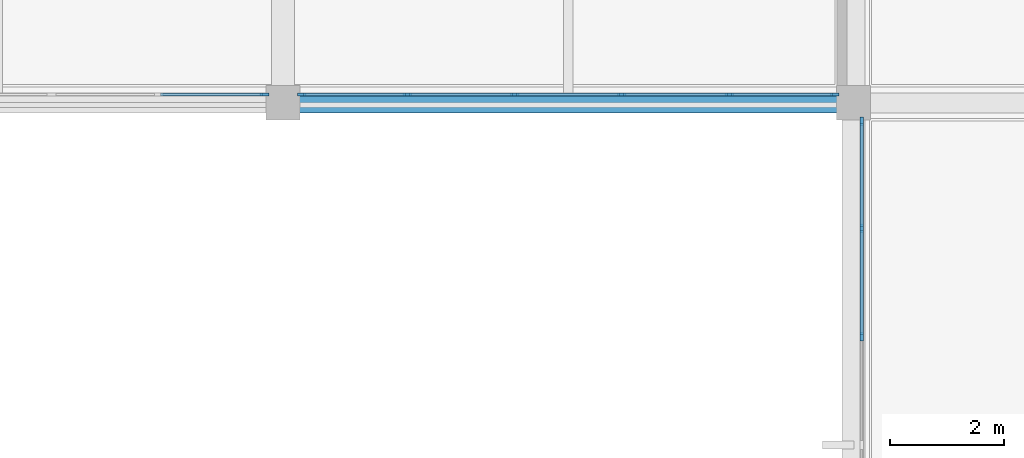
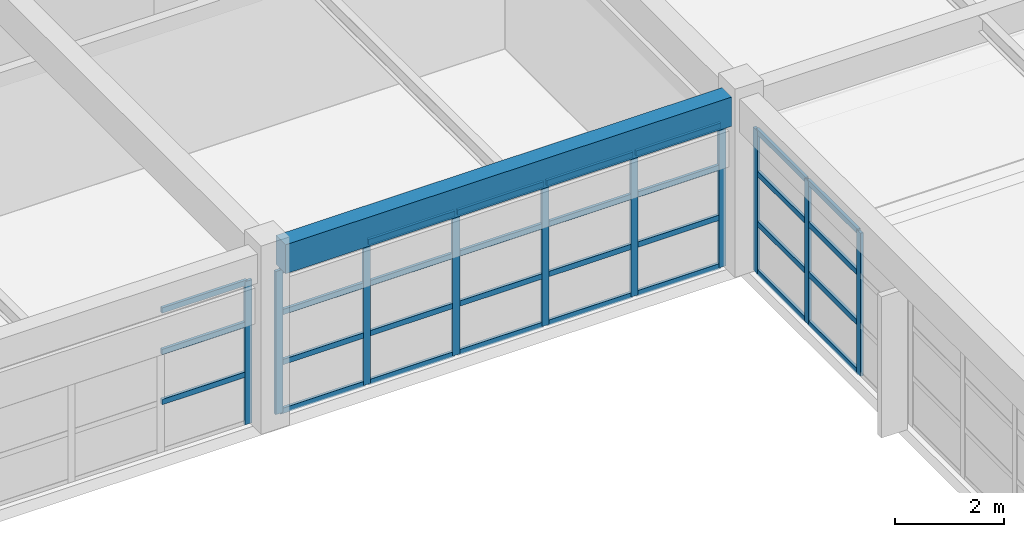
# One storey, part 11 of 28: 41 members, 1 beam, 3 elements without a shape of their own.
"""IFC4 building model written with IfcOpenShell, lengths in metres."""

from ifc_helpers import new_model, si_unit, direction, frame, origin, origin_2d, place, context, subcontext, project, spatial, rectangle, extrude, material, layer, layer_set, material_profile, profile_set, type_object, element, aggregate, save


model = new_model("IFC4")

# Units and contexts
model_context = context("Model", 3, precision=1e-05, world=origin(), true_north=direction((0.0, 1.0)))
body_context = subcontext(model_context, "Body", "Model", "MODEL_VIEW")
ifc_project = project(units=[si_unit("LENGTHUNIT", "METRE"), si_unit("AREAUNIT", "SQUARE_METRE"), si_unit("VOLUMEUNIT", "CUBIC_METRE"), si_unit("PLANEANGLEUNIT", "RADIAN"), si_unit("MASSUNIT", "GRAM", prefix="KILO")], contexts=[model_context])

# Site, building, storey
site_placement = place(None, origin())
site = spatial("IfcSite", under=ifc_project, at=site_placement, CompositionType="ELEMENT")
building_placement = place(site_placement, origin())
building = spatial("IfcBuilding", under=site, at=building_placement, Name="Kivolera Central Railway Station", CompositionType="ELEMENT")
storey_placement = place(building_placement, frame((0.0, 0.0, 18.60009765625)))
storey = spatial("IfcBuildingStorey", under=building, at=storey_placement, Name="L04", CompositionType="ELEMENT", Elevation=18.60009765625)

# Beam
ifc_material_1 = material(Name="Concrete C40/50", Category="concrete")
ifc_material_profile_1 = material_profile(ifc_material_1, rectangle(XDim=0.35009765625, YDim=0.64990234375, at=origin_2d()), Name="RC 350x650")
ifc_profile_set_1 = profile_set([ifc_material_profile_1], Name="Concrete C40/50")
beam_type = type_object("IfcBeamType", Name="BM-RC-350x650", PredefinedType="BEAM", material=ifc_profile_set_1)
beam_placement = place(storey_placement, frame((168.2919921875, 114.0, 3.625), z_axis=(1.0, 0.0, 0.0), x_axis=(0.0, 1.0, 0.0)))
element("IfcBeam", 1, at=beam_placement, inside=storey, type_object=beam_type, Name="L04 Wing X-Beam K:17-18", PredefinedType="BEAM", context=body_context, shape_type="SweptSolid", body=[
    extrude(rectangle(XDim=0.35009765625, YDim=0.64990234375, at=origin_2d()), origin(), (0.0, 0.0, 1.0), 9.416015625),
])

# Curtain wall, member
ifc_material_2 = material(Name="Anodised aluminium", Category="aluminium")
ifc_layer_1 = layer(ifc_material_2, 0.179931640625, Name="Anodised aluminium")
ifc_layer_set_1 = layer_set([ifc_layer_1], Name="Anodised aluminium")
curtain_wall_type_1 = type_object("IfcCurtainWallType", Name="CW-SYS-31", PredefinedType="NOTDEFINED", material=ifc_layer_set_1)
curtain_wall_1_placement = place(storey_placement, origin())
curtain_wall_1 = element("IfcCurtainWall", 2, at=curtain_wall_1_placement, inside=storey, type_object=curtain_wall_type_1, Name="L04 Curtain Wall CW-L04-CRTN-158", PredefinedType="NOTDEFINED")
ifc_material_profile_2 = material_profile(ifc_material_2, rectangle(XDim=0.06005859375, YDim=0.14990234375, at=origin_2d()), Name="ALU MULL 60x150")
ifc_profile_set_2 = profile_set([ifc_material_profile_2], Name="Anodised aluminium")
member_type_1 = type_object("IfcMemberType", Name="CWM-MUL-2", PredefinedType="MULLION", material=ifc_profile_set_2)
member_1_placement = place(storey_placement, frame((167.675048828125, 114.14501953125, -0.005126953125), z_axis=(0.0, 0.0, 1.0), x_axis=(0.0, -1.0, 0.0)))
member_1 = element("IfcMember", 3, at=member_1_placement, type_object=member_type_1, Name="CW-31 mullion 1", PredefinedType="MULLION", context=body_context, shape_type="SweptSolid", body=[
    extrude(rectangle(XDim=0.06005859375, YDim=0.14990234375, at=origin_2d()), origin(), (0.0, 0.0, 1.0), 3.193115234375),
])

# Curtain wall, members
curtain_wall_2_placement = place(storey_placement, origin())
curtain_wall_2 = element("IfcCurtainWall", 4, at=curtain_wall_2_placement, inside=storey, type_object=curtain_wall_type_1, Name="L04 Curtain Wall CW-L04-CRTN-168", PredefinedType="NOTDEFINED")
member_2_placement = place(storey_placement, frame((177.675048828125, 114.14501953125, -0.005126953125), z_axis=(0.0, 0.0, 1.0), x_axis=(0.0, -1.0, 0.0)))
member_2 = element("IfcMember", 5, at=member_2_placement, type_object=member_type_1, Name="CW-31 mullion 1", PredefinedType="MULLION", context=body_context, shape_type="SweptSolid", body=[
    extrude(rectangle(XDim=0.06005859375, YDim=0.14990234375, at=origin_2d()), origin(), (0.0, 0.0, 1.0), 3.193115234375),
])
member_3_placement = place(storey_placement, frame((175.822998046875, 114.14501953125, -0.005126953125), z_axis=(0.0, 0.0, 1.0), x_axis=(0.0, -1.0, 0.0)))
member_3 = element("IfcMember", 6, at=member_3_placement, type_object=member_type_1, Name="CW-31 mullion 2", PredefinedType="MULLION", context=body_context, shape_type="SweptSolid", body=[
    extrude(rectangle(XDim=0.06005859375, YDim=0.14990234375, at=origin_2d()), origin(), (0.0, 0.0, 1.0), 3.193115234375),
])
member_4_placement = place(storey_placement, frame((173.94091796875, 114.14501953125, -0.005126953125), z_axis=(0.0, 0.0, 1.0), x_axis=(0.0, -1.0, 0.0)))
member_4 = element("IfcMember", 7, at=member_4_placement, type_object=member_type_1, Name="CW-31 mullion 3", PredefinedType="MULLION", context=body_context, shape_type="SweptSolid", body=[
    extrude(rectangle(XDim=0.06005859375, YDim=0.14990234375, at=origin_2d()), origin(), (0.0, 0.0, 1.0), 3.193115234375),
])
member_5_placement = place(storey_placement, frame((172.05908203125, 114.14501953125, -0.005126953125), z_axis=(0.0, 0.0, 1.0), x_axis=(0.0, -1.0, 0.0)))
member_5 = element("IfcMember", 8, at=member_5_placement, type_object=member_type_1, Name="CW-31 mullion 4", PredefinedType="MULLION", context=body_context, shape_type="SweptSolid", body=[
    extrude(rectangle(XDim=0.06005859375, YDim=0.14990234375, at=origin_2d()), origin(), (0.0, 0.0, 1.0), 3.193115234375),
])
member_6_placement = place(storey_placement, frame((170.177001953125, 114.14501953125, -0.005126953125), z_axis=(0.0, 0.0, 1.0), x_axis=(0.0, -1.0, 0.0)))
member_6 = element("IfcMember", 9, at=member_6_placement, type_object=member_type_1, Name="CW-31 mullion 5", PredefinedType="MULLION", context=body_context, shape_type="SweptSolid", body=[
    extrude(rectangle(XDim=0.06005859375, YDim=0.14990234375, at=origin_2d()), origin(), (0.0, 0.0, 1.0), 3.193115234375),
])
member_7_placement = place(storey_placement, frame((168.324951171875, 114.14501953125, -0.005126953125), z_axis=(0.0, 0.0, 1.0), x_axis=(0.0, -1.0, 0.0)))
member_7 = element("IfcMember", 10, at=member_7_placement, type_object=member_type_1, Name="CW-31 mullion 6", PredefinedType="MULLION", context=body_context, shape_type="SweptSolid", body=[
    extrude(rectangle(XDim=0.06005859375, YDim=0.14990234375, at=origin_2d()), origin(), (0.0, 0.0, 1.0), 3.193115234375),
])

ifc_layer_2 = layer(ifc_material_2, 0.179931640625, Name="Anodised aluminium")
ifc_layer_set_2 = layer_set([ifc_layer_2], Name="Anodised aluminium")
curtain_wall_type_2 = type_object("IfcCurtainWallType", Name="CW-SYS-32", PredefinedType="NOTDEFINED", material=ifc_layer_set_2)
curtain_wall_3_placement = place(storey_placement, origin())
curtain_wall_3 = element("IfcCurtainWall", 11, at=curtain_wall_3_placement, inside=storey, type_object=curtain_wall_type_2, Name="L04 Curtain Wall CW-L04-CRTE-J", PredefinedType="NOTDEFINED")
member_8_placement = place(storey_placement, frame((178.14501953125, 109.901611328125, -0.005126953125), z_axis=(0.0, 0.0, 1.0), x_axis=(-1.0, 0.0, 0.0)))
member_8 = element("IfcMember", 12, at=member_8_placement, type_object=member_type_1, Name="CW-32 mullion 5", PredefinedType="MULLION", context=body_context, shape_type="SweptSolid", body=[
    extrude(rectangle(XDim=0.06005859375, YDim=0.14990234375, at=origin_2d()), origin(), (0.0, 0.0, 1.0), 3.193115234375),
])
member_9_placement = place(storey_placement, frame((178.14501953125, 111.80322265625, -0.005126953125), z_axis=(0.0, 0.0, 1.0), x_axis=(-1.0, 0.0, 0.0)))
member_9 = element("IfcMember", 13, at=member_9_placement, type_object=member_type_1, Name="CW-32 mullion 6", PredefinedType="MULLION", context=body_context, shape_type="SweptSolid", body=[
    extrude(rectangle(XDim=0.06005859375, YDim=0.14990234375, at=origin_2d()), origin(), (0.0, 0.0, 1.0), 3.193115234375),
])
member_10_placement = place(storey_placement, frame((178.14501953125, 113.675048828125, -0.005126953125), z_axis=(0.0, 0.0, 1.0), x_axis=(-1.0, 0.0, 0.0)))
member_10 = element("IfcMember", 14, at=member_10_placement, type_object=member_type_1, Name="CW-32 mullion 7", PredefinedType="MULLION", context=body_context, shape_type="SweptSolid", body=[
    extrude(rectangle(XDim=0.06005859375, YDim=0.14990234375, at=origin_2d()), origin(), (0.0, 0.0, 1.0), 3.193115234375),
])

# Member
ifc_material_profile_3 = material_profile(ifc_material_2, rectangle(XDim=0.06005859375, YDim=0.1201171875, at=origin_2d()), Name="ALU TRAN 60x120")
ifc_profile_set_3 = profile_set([ifc_material_profile_3], Name="Anodised aluminium")
member_type_2 = type_object("IfcMemberType", Name="CWM-TRN-2", PredefinedType="USERDEFINED", material=ifc_profile_set_3)
member_11_placement = place(storey_placement, frame((167.64501953125, 114.14501953125, 1.11572265625), z_axis=(-1.0, 0.0, 0.0), x_axis=(0.0, -1.0, 0.0)))
member_11 = element("IfcMember", 15, at=member_11_placement, type_object=member_type_2, Name="CW-31 transom 1.2", ObjectType="TRANSOM", PredefinedType="USERDEFINED", context=body_context, shape_type="SweptSolid", body=[
    extrude(rectangle(XDim=0.06005859375, YDim=0.1201171875, at=origin_2d()), origin(), (0.0, 0.0, 1.0), 1.7919921875),
])

member_12_placement = place(storey_placement, frame((167.64501953125, 114.14501953125, 2.2314453125), z_axis=(-1.0, 0.0, 0.0), x_axis=(0.0, -1.0, 0.0)))
member_12 = element("IfcMember", 16, at=member_12_placement, type_object=member_type_2, Name="CW-31 transom 1.3", ObjectType="TRANSOM", PredefinedType="USERDEFINED", context=body_context, shape_type="SweptSolid", body=[
    extrude(rectangle(XDim=0.06005859375, YDim=0.1201171875, at=origin_2d()), origin(), (0.0, 0.0, 1.0), 1.7919921875),
])

member_13_placement = place(storey_placement, frame((167.64501953125, 114.14501953125, 3.157958984375), z_axis=(-1.0, 0.0, 0.0), x_axis=(0.0, -1.0, 0.0)))
member_13 = element("IfcMember", 17, at=member_13_placement, type_object=member_type_2, Name="CW-31 transom 1.4", ObjectType="TRANSOM", PredefinedType="USERDEFINED", context=body_context, shape_type="SweptSolid", body=[
    extrude(rectangle(XDim=0.06005859375, YDim=0.1201171875, at=origin_2d()), origin(), (0.0, 0.0, 1.0), 1.7919921875),
])

aggregate(curtain_wall_1, [member_1, member_11, member_12, member_13])

member_14_placement = place(storey_placement, frame((177.64501953125, 114.14501953125, 0.02978515625), z_axis=(-1.0, 0.0, 0.0), x_axis=(0.0, -1.0, 0.0)))
member_14 = element("IfcMember", 18, at=member_14_placement, type_object=member_type_2, Name="CW-31 transom 1.1", ObjectType="TRANSOM", PredefinedType="USERDEFINED", context=body_context, shape_type="SweptSolid", body=[
    extrude(rectangle(XDim=0.06005859375, YDim=0.1201171875, at=origin_2d()), origin(), (0.0, 0.0, 1.0), 1.7919921875),
])

member_15_placement = place(storey_placement, frame((177.64501953125, 114.14501953125, 1.11572265625), z_axis=(-1.0, 0.0, 0.0), x_axis=(0.0, -1.0, 0.0)))
member_15 = element("IfcMember", 19, at=member_15_placement, type_object=member_type_2, Name="CW-31 transom 1.2", ObjectType="TRANSOM", PredefinedType="USERDEFINED", context=body_context, shape_type="SweptSolid", body=[
    extrude(rectangle(XDim=0.06005859375, YDim=0.1201171875, at=origin_2d()), origin(), (0.0, 0.0, 1.0), 1.7919921875),
])

member_16_placement = place(storey_placement, frame((177.64501953125, 114.14501953125, 2.2314453125), z_axis=(-1.0, 0.0, 0.0), x_axis=(0.0, -1.0, 0.0)))
member_16 = element("IfcMember", 20, at=member_16_placement, type_object=member_type_2, Name="CW-31 transom 1.3", ObjectType="TRANSOM", PredefinedType="USERDEFINED", context=body_context, shape_type="SweptSolid", body=[
    extrude(rectangle(XDim=0.06005859375, YDim=0.1201171875, at=origin_2d()), origin(), (0.0, 0.0, 1.0), 1.7919921875),
])

member_17_placement = place(storey_placement, frame((177.64501953125, 114.14501953125, 3.157958984375), z_axis=(-1.0, 0.0, 0.0), x_axis=(0.0, -1.0, 0.0)))
member_17 = element("IfcMember", 21, at=member_17_placement, type_object=member_type_2, Name="CW-31 transom 1.4", ObjectType="TRANSOM", PredefinedType="USERDEFINED", context=body_context, shape_type="SweptSolid", body=[
    extrude(rectangle(XDim=0.06005859375, YDim=0.1201171875, at=origin_2d()), origin(), (0.0, 0.0, 1.0), 1.7919921875),
])

member_18_placement = place(storey_placement, frame((175.79296875, 114.14501953125, 0.02978515625), z_axis=(-1.0, 0.0, 0.0), x_axis=(0.0, -1.0, 0.0)))
member_18 = element("IfcMember", 22, at=member_18_placement, type_object=member_type_2, Name="CW-31 transom 2.1", ObjectType="TRANSOM", PredefinedType="USERDEFINED", context=body_context, shape_type="SweptSolid", body=[
    extrude(rectangle(XDim=0.06005859375, YDim=0.1201171875, at=origin_2d()), origin(), (0.0, 0.0, 1.0), 1.822021484375),
])

member_19_placement = place(storey_placement, frame((175.79296875, 114.14501953125, 1.11572265625), z_axis=(-1.0, 0.0, 0.0), x_axis=(0.0, -1.0, 0.0)))
member_19 = element("IfcMember", 23, at=member_19_placement, type_object=member_type_2, Name="CW-31 transom 2.2", ObjectType="TRANSOM", PredefinedType="USERDEFINED", context=body_context, shape_type="SweptSolid", body=[
    extrude(rectangle(XDim=0.06005859375, YDim=0.1201171875, at=origin_2d()), origin(), (0.0, 0.0, 1.0), 1.822021484375),
])

member_20_placement = place(storey_placement, frame((175.79296875, 114.14501953125, 2.2314453125), z_axis=(-1.0, 0.0, 0.0), x_axis=(0.0, -1.0, 0.0)))
member_20 = element("IfcMember", 24, at=member_20_placement, type_object=member_type_2, Name="CW-31 transom 2.3", ObjectType="TRANSOM", PredefinedType="USERDEFINED", context=body_context, shape_type="SweptSolid", body=[
    extrude(rectangle(XDim=0.06005859375, YDim=0.1201171875, at=origin_2d()), origin(), (0.0, 0.0, 1.0), 1.822021484375),
])

member_21_placement = place(storey_placement, frame((175.79296875, 114.14501953125, 3.157958984375), z_axis=(-1.0, 0.0, 0.0), x_axis=(0.0, -1.0, 0.0)))
member_21 = element("IfcMember", 25, at=member_21_placement, type_object=member_type_2, Name="CW-31 transom 2.4", ObjectType="TRANSOM", PredefinedType="USERDEFINED", context=body_context, shape_type="SweptSolid", body=[
    extrude(rectangle(XDim=0.06005859375, YDim=0.1201171875, at=origin_2d()), origin(), (0.0, 0.0, 1.0), 1.822021484375),
])

member_22_placement = place(storey_placement, frame((173.910888671875, 114.14501953125, 0.02978515625), z_axis=(-1.0, 0.0, 0.0), x_axis=(0.0, -1.0, 0.0)))
member_22 = element("IfcMember", 26, at=member_22_placement, type_object=member_type_2, Name="CW-31 transom 3.1", ObjectType="TRANSOM", PredefinedType="USERDEFINED", context=body_context, shape_type="SweptSolid", body=[
    extrude(rectangle(XDim=0.06005859375, YDim=0.1201171875, at=origin_2d()), origin(), (0.0, 0.0, 1.0), 1.82177734375),
])

member_23_placement = place(storey_placement, frame((173.910888671875, 114.14501953125, 1.11572265625), z_axis=(-1.0, 0.0, 0.0), x_axis=(0.0, -1.0, 0.0)))
member_23 = element("IfcMember", 27, at=member_23_placement, type_object=member_type_2, Name="CW-31 transom 3.2", ObjectType="TRANSOM", PredefinedType="USERDEFINED", context=body_context, shape_type="SweptSolid", body=[
    extrude(rectangle(XDim=0.06005859375, YDim=0.1201171875, at=origin_2d()), origin(), (0.0, 0.0, 1.0), 1.82177734375),
])

member_24_placement = place(storey_placement, frame((173.910888671875, 114.14501953125, 2.2314453125), z_axis=(-1.0, 0.0, 0.0), x_axis=(0.0, -1.0, 0.0)))
member_24 = element("IfcMember", 28, at=member_24_placement, type_object=member_type_2, Name="CW-31 transom 3.3", ObjectType="TRANSOM", PredefinedType="USERDEFINED", context=body_context, shape_type="SweptSolid", body=[
    extrude(rectangle(XDim=0.06005859375, YDim=0.1201171875, at=origin_2d()), origin(), (0.0, 0.0, 1.0), 1.82177734375),
])

member_25_placement = place(storey_placement, frame((173.910888671875, 114.14501953125, 3.157958984375), z_axis=(-1.0, 0.0, 0.0), x_axis=(0.0, -1.0, 0.0)))
member_25 = element("IfcMember", 29, at=member_25_placement, type_object=member_type_2, Name="CW-31 transom 3.4", ObjectType="TRANSOM", PredefinedType="USERDEFINED", context=body_context, shape_type="SweptSolid", body=[
    extrude(rectangle(XDim=0.06005859375, YDim=0.1201171875, at=origin_2d()), origin(), (0.0, 0.0, 1.0), 1.82177734375),
])

member_26_placement = place(storey_placement, frame((172.029052734375, 114.14501953125, 0.02978515625), z_axis=(-1.0, 0.0, 0.0), x_axis=(0.0, -1.0, 0.0)))
member_26 = element("IfcMember", 30, at=member_26_placement, type_object=member_type_2, Name="CW-31 transom 4.1", ObjectType="TRANSOM", PredefinedType="USERDEFINED", context=body_context, shape_type="SweptSolid", body=[
    extrude(rectangle(XDim=0.06005859375, YDim=0.1201171875, at=origin_2d()), origin(), (0.0, 0.0, 1.0), 1.822021484375),
])

member_27_placement = place(storey_placement, frame((172.029052734375, 114.14501953125, 1.11572265625), z_axis=(-1.0, 0.0, 0.0), x_axis=(0.0, -1.0, 0.0)))
member_27 = element("IfcMember", 31, at=member_27_placement, type_object=member_type_2, Name="CW-31 transom 4.2", ObjectType="TRANSOM", PredefinedType="USERDEFINED", context=body_context, shape_type="SweptSolid", body=[
    extrude(rectangle(XDim=0.06005859375, YDim=0.1201171875, at=origin_2d()), origin(), (0.0, 0.0, 1.0), 1.822021484375),
])

member_28_placement = place(storey_placement, frame((172.029052734375, 114.14501953125, 2.2314453125), z_axis=(-1.0, 0.0, 0.0), x_axis=(0.0, -1.0, 0.0)))
member_28 = element("IfcMember", 32, at=member_28_placement, type_object=member_type_2, Name="CW-31 transom 4.3", ObjectType="TRANSOM", PredefinedType="USERDEFINED", context=body_context, shape_type="SweptSolid", body=[
    extrude(rectangle(XDim=0.06005859375, YDim=0.1201171875, at=origin_2d()), origin(), (0.0, 0.0, 1.0), 1.822021484375),
])

member_29_placement = place(storey_placement, frame((172.029052734375, 114.14501953125, 3.157958984375), z_axis=(-1.0, 0.0, 0.0), x_axis=(0.0, -1.0, 0.0)))
member_29 = element("IfcMember", 33, at=member_29_placement, type_object=member_type_2, Name="CW-31 transom 4.4", ObjectType="TRANSOM", PredefinedType="USERDEFINED", context=body_context, shape_type="SweptSolid", body=[
    extrude(rectangle(XDim=0.06005859375, YDim=0.1201171875, at=origin_2d()), origin(), (0.0, 0.0, 1.0), 1.822021484375),
])

member_30_placement = place(storey_placement, frame((170.14697265625, 114.14501953125, 0.02978515625), z_axis=(-1.0, 0.0, 0.0), x_axis=(0.0, -1.0, 0.0)))
member_30 = element("IfcMember", 34, at=member_30_placement, type_object=member_type_2, Name="CW-31 transom 5.1", ObjectType="TRANSOM", PredefinedType="USERDEFINED", context=body_context, shape_type="SweptSolid", body=[
    extrude(rectangle(XDim=0.06005859375, YDim=0.1201171875, at=origin_2d()), origin(), (0.0, 0.0, 1.0), 1.7919921875),
])

member_31_placement = place(storey_placement, frame((170.14697265625, 114.14501953125, 1.11572265625), z_axis=(-1.0, 0.0, 0.0), x_axis=(0.0, -1.0, 0.0)))
member_31 = element("IfcMember", 35, at=member_31_placement, type_object=member_type_2, Name="CW-31 transom 5.2", ObjectType="TRANSOM", PredefinedType="USERDEFINED", context=body_context, shape_type="SweptSolid", body=[
    extrude(rectangle(XDim=0.06005859375, YDim=0.1201171875, at=origin_2d()), origin(), (0.0, 0.0, 1.0), 1.7919921875),
])

member_32_placement = place(storey_placement, frame((170.14697265625, 114.14501953125, 2.2314453125), z_axis=(-1.0, 0.0, 0.0), x_axis=(0.0, -1.0, 0.0)))
member_32 = element("IfcMember", 36, at=member_32_placement, type_object=member_type_2, Name="CW-31 transom 5.3", ObjectType="TRANSOM", PredefinedType="USERDEFINED", context=body_context, shape_type="SweptSolid", body=[
    extrude(rectangle(XDim=0.06005859375, YDim=0.1201171875, at=origin_2d()), origin(), (0.0, 0.0, 1.0), 1.7919921875),
])

member_33_placement = place(storey_placement, frame((170.14697265625, 114.14501953125, 3.157958984375), z_axis=(-1.0, 0.0, 0.0), x_axis=(0.0, -1.0, 0.0)))
member_33 = element("IfcMember", 37, at=member_33_placement, type_object=member_type_2, Name="CW-31 transom 5.4", ObjectType="TRANSOM", PredefinedType="USERDEFINED", context=body_context, shape_type="SweptSolid", body=[
    extrude(rectangle(XDim=0.06005859375, YDim=0.1201171875, at=origin_2d()), origin(), (0.0, 0.0, 1.0), 1.7919921875),
])

aggregate(curtain_wall_2, [member_2, member_3, member_4, member_5, member_6, member_7, member_14, member_15, member_16, member_17, member_18, member_19, member_20, member_21, member_22, member_23, member_24, member_25, member_26, member_27, member_28, member_29, member_30, member_31, member_32, member_33])

member_34_placement = place(storey_placement, frame((178.14501953125, 109.931640625, 0.02978515625), z_axis=(0.0, 1.0, 0.0), x_axis=(-1.0, 0.0, 0.0)))
member_34 = element("IfcMember", 38, at=member_34_placement, type_object=member_type_2, Name="CW-32 transom 5.1", ObjectType="TRANSOM", PredefinedType="USERDEFINED", context=body_context, shape_type="SweptSolid", body=[
    extrude(rectangle(XDim=0.06005859375, YDim=0.1201171875, at=origin_2d()), origin(), (0.0, 0.0, 1.0), 1.841796875),
])

member_35_placement = place(storey_placement, frame((178.14501953125, 109.931640625, 1.11572265625), z_axis=(0.0, 1.0, 0.0), x_axis=(-1.0, 0.0, 0.0)))
member_35 = element("IfcMember", 39, at=member_35_placement, type_object=member_type_2, Name="CW-32 transom 5.2", ObjectType="TRANSOM", PredefinedType="USERDEFINED", context=body_context, shape_type="SweptSolid", body=[
    extrude(rectangle(XDim=0.06005859375, YDim=0.1201171875, at=origin_2d()), origin(), (0.0, 0.0, 1.0), 1.841796875),
])

member_36_placement = place(storey_placement, frame((178.14501953125, 109.931640625, 2.2314453125), z_axis=(0.0, 1.0, 0.0), x_axis=(-1.0, 0.0, 0.0)))
member_36 = element("IfcMember", 40, at=member_36_placement, type_object=member_type_2, Name="CW-32 transom 5.3", ObjectType="TRANSOM", PredefinedType="USERDEFINED", context=body_context, shape_type="SweptSolid", body=[
    extrude(rectangle(XDim=0.06005859375, YDim=0.1201171875, at=origin_2d()), origin(), (0.0, 0.0, 1.0), 1.841796875),
])

member_37_placement = place(storey_placement, frame((178.14501953125, 109.931640625, 3.157958984375), z_axis=(0.0, 1.0, 0.0), x_axis=(-1.0, 0.0, 0.0)))
member_37 = element("IfcMember", 41, at=member_37_placement, type_object=member_type_2, Name="CW-32 transom 5.4", ObjectType="TRANSOM", PredefinedType="USERDEFINED", context=body_context, shape_type="SweptSolid", body=[
    extrude(rectangle(XDim=0.06005859375, YDim=0.1201171875, at=origin_2d()), origin(), (0.0, 0.0, 1.0), 1.841796875),
])

member_38_placement = place(storey_placement, frame((178.14501953125, 111.833251953125, 0.02978515625), z_axis=(0.0, 1.0, 0.0), x_axis=(-1.0, 0.0, 0.0)))
member_38 = element("IfcMember", 42, at=member_38_placement, type_object=member_type_2, Name="CW-32 transom 6.1", ObjectType="TRANSOM", PredefinedType="USERDEFINED", context=body_context, shape_type="SweptSolid", body=[
    extrude(rectangle(XDim=0.06005859375, YDim=0.1201171875, at=origin_2d()), origin(), (0.0, 0.0, 1.0), 1.811767578125),
])

member_39_placement = place(storey_placement, frame((178.14501953125, 111.833251953125, 1.11572265625), z_axis=(0.0, 1.0, 0.0), x_axis=(-1.0, 0.0, 0.0)))
member_39 = element("IfcMember", 43, at=member_39_placement, type_object=member_type_2, Name="CW-32 transom 6.2", ObjectType="TRANSOM", PredefinedType="USERDEFINED", context=body_context, shape_type="SweptSolid", body=[
    extrude(rectangle(XDim=0.06005859375, YDim=0.1201171875, at=origin_2d()), origin(), (0.0, 0.0, 1.0), 1.811767578125),
])

member_40_placement = place(storey_placement, frame((178.14501953125, 111.833251953125, 2.2314453125), z_axis=(0.0, 1.0, 0.0), x_axis=(-1.0, 0.0, 0.0)))
member_40 = element("IfcMember", 44, at=member_40_placement, type_object=member_type_2, Name="CW-32 transom 6.3", ObjectType="TRANSOM", PredefinedType="USERDEFINED", context=body_context, shape_type="SweptSolid", body=[
    extrude(rectangle(XDim=0.06005859375, YDim=0.1201171875, at=origin_2d()), origin(), (0.0, 0.0, 1.0), 1.811767578125),
])

member_41_placement = place(storey_placement, frame((178.14501953125, 111.833251953125, 3.157958984375), z_axis=(0.0, 1.0, 0.0), x_axis=(-1.0, 0.0, 0.0)))
member_41 = element("IfcMember", 45, at=member_41_placement, type_object=member_type_2, Name="CW-32 transom 6.4", ObjectType="TRANSOM", PredefinedType="USERDEFINED", context=body_context, shape_type="SweptSolid", body=[
    extrude(rectangle(XDim=0.06005859375, YDim=0.1201171875, at=origin_2d()), origin(), (0.0, 0.0, 1.0), 1.811767578125),
])

aggregate(curtain_wall_3, [member_8, member_9, member_10, member_34, member_35, member_36, member_37, member_38, member_39, member_40, member_41])

save(model, "model.ifc")
